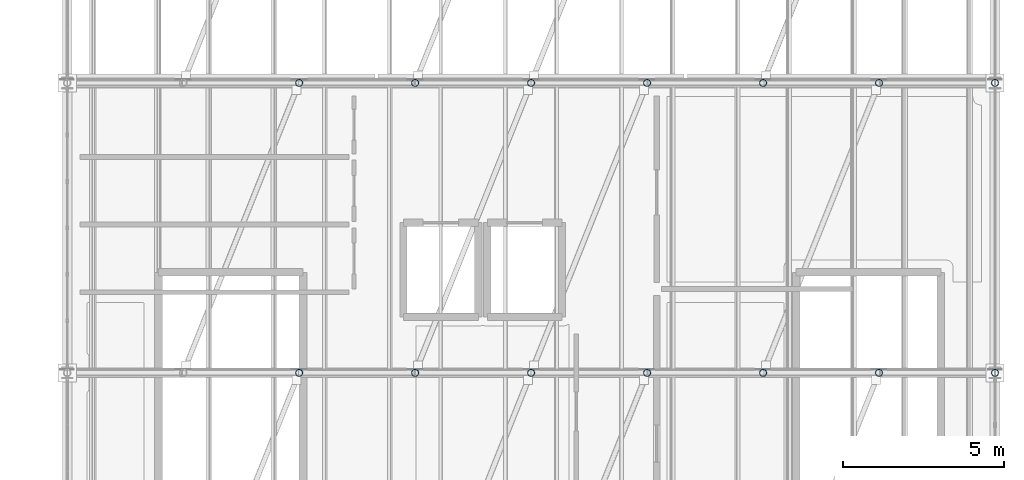
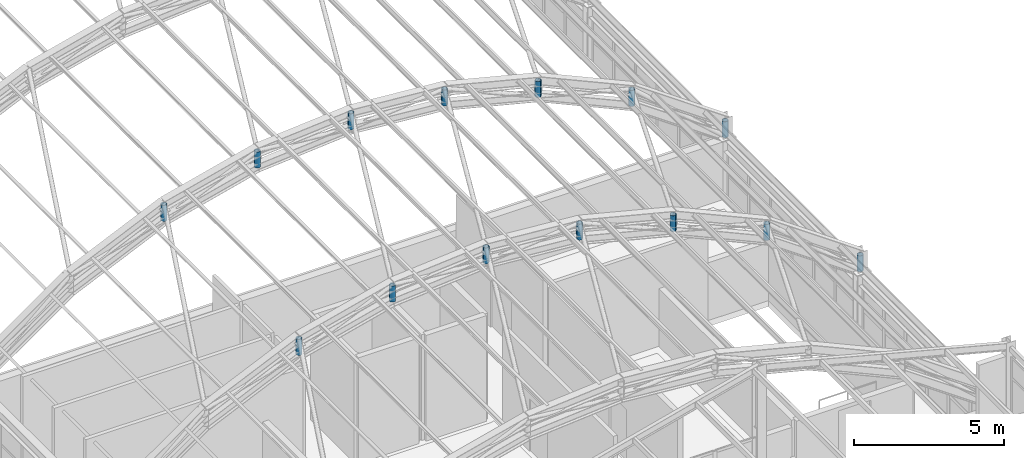
# One storey, part 88 of 121: 14 members.
"""IFC4 building model written with IfcOpenShell, lengths in metres."""

from ifc_helpers import new_model, si_unit, direction, frame, origin, origin_2d, place, context, subcontext, project, spatial, hollow_circle, extrude, material, material_profile, profile_set, type_object, element, save


model = new_model("IFC4")

# Units and contexts
model_context = context("Model", 3, precision=1e-05, world=origin(), true_north=direction((0.0, 1.0)))
body_context = subcontext(model_context, "Body", "Model", "MODEL_VIEW")
ifc_project = project(units=[si_unit("LENGTHUNIT", "METRE"), si_unit("AREAUNIT", "SQUARE_METRE"), si_unit("VOLUMEUNIT", "CUBIC_METRE"), si_unit("PLANEANGLEUNIT", "RADIAN"), si_unit("MASSUNIT", "GRAM", prefix="KILO")], contexts=[model_context])

# Site, building, storey
site_placement = place(None, origin())
site = spatial("IfcSite", under=ifc_project, at=site_placement, CompositionType="ELEMENT")
building_placement = place(site_placement, origin())
building = spatial("IfcBuilding", under=site, at=building_placement, Name="Canglan Escarpment Cableway Terminal", CompositionType="ELEMENT")
storey_placement = place(building_placement, frame((0.0, 0.0, 24.60009765625)))
storey = spatial("IfcBuildingStorey", under=building, at=storey_placement, Name="L05", CompositionType="ELEMENT", Elevation=24.60009765625)

# Members
ifc_material = material(Name="Steel Q355B", Category="steel")
ifc_material_profile = material_profile(ifc_material, hollow_circle(Radius=0.109619140625, WallThickness=0.008056640625, at=origin_2d()), Name="CHS 219.1x8")
ifc_profile_set = profile_set([ifc_material_profile], Name="Steel Q355B")
member_type = type_object("IfcMemberType", Name="MB-ARCH-WEB-CHS219", PredefinedType="BRACE", material=ifc_profile_set)
for number, where, z_axis, x_axis, name in (
    (1, (144.800048828125, 43.0, 6.58837890625), (0.0, 0.0, 1.0), (1.0, 0.0, 0.0), "Vault ROOF TRUSS vertical strut AR-WB1"),
    (2, (148.39990234375, 43.0, 7.50341796875), (0.0, 0.0, 1.0), (1.0, 0.0, 0.0), "Vault ROOF TRUSS vertical strut AR-WB1"),
):
    element("IfcMember", number, at=place(storey_placement, frame(where, z_axis=z_axis, x_axis=x_axis)), inside=storey, type_object=member_type, Name=name, PredefinedType="BRACE", context=body_context, shape_type="SweptSolid", body=[
        extrude(hollow_circle(Radius=0.109619140625, WallThickness=0.008056640625, at=origin_2d()), origin(), (0.0, 0.0, 1.0), 0.64990234375),
    ])
member_1_placement = place(storey_placement, frame((152.0, 43.0, 7.7998046875), z_axis=(0.0, 0.0, 1.0), x_axis=(1.0, 0.0, 0.0)))
element("IfcMember", 3, at=member_1_placement, inside=storey, type_object=member_type, Name="Vault ROOF TRUSS vertical strut AR-WB1", PredefinedType="BRACE", context=body_context, shape_type="SweptSolid", body=[
    extrude(hollow_circle(Radius=0.109619140625, WallThickness=0.008056640625, at=origin_2d()), origin(), (0.0, 0.0, 1.0), 0.650146484375),
])
for number, where, z_axis, x_axis, name in (
    (4, (155.60009765625, 43.0, 7.50341796875), (0.0, 0.0, 1.0), (1.0, 0.0, 0.0), "Vault ROOF TRUSS vertical strut AR-WB1"),
    (5, (159.199951171875, 43.0, 6.58837890625), (0.0, 0.0, 1.0), (1.0, 0.0, 0.0), "Vault ROOF TRUSS vertical strut AR-WB1"),
    (6, (162.800048828125, 43.0, 4.966552734375), (0.0, 0.0, 1.0), (1.0, 0.0, 0.0), "Vault ROOF TRUSS vertical strut AR-WB1"),
):
    element("IfcMember", number, at=place(storey_placement, frame(where, z_axis=z_axis, x_axis=x_axis)), inside=storey, type_object=member_type, Name=name, PredefinedType="BRACE", context=body_context, shape_type="SweptSolid", body=[
        extrude(hollow_circle(Radius=0.109619140625, WallThickness=0.008056640625, at=origin_2d()), origin(), (0.0, 0.0, 1.0), 0.64990234375),
    ])
member_2_placement = place(storey_placement, frame((166.39990234375, 43.0, 2.432373046875), z_axis=(0.0, 0.0, 1.0), x_axis=(1.0, 0.0, 0.0)))
element("IfcMember", 7, at=member_2_placement, inside=storey, type_object=member_type, Name="Vault ROOF TRUSS springing strut AR-WB1", PredefinedType="BRACE", context=body_context, shape_type="SweptSolid", body=[
    extrude(hollow_circle(Radius=0.109619140625, WallThickness=0.008056640625, at=origin_2d()), origin(), (0.0, 0.0, 1.0), 0.650146484375),
])
for number, where, z_axis, x_axis, name in (
    (8, (144.800048828125, 52.0, 6.58837890625), (0.0, 0.0, 1.0), (1.0, 0.0, 0.0), "Vault ROOF TRUSS vertical strut AR-WB1"),
    (9, (148.39990234375, 52.0, 7.50341796875), (0.0, 0.0, 1.0), (1.0, 0.0, 0.0), "Vault ROOF TRUSS vertical strut AR-WB1"),
):
    element("IfcMember", number, at=place(storey_placement, frame(where, z_axis=z_axis, x_axis=x_axis)), inside=storey, type_object=member_type, Name=name, PredefinedType="BRACE", context=body_context, shape_type="SweptSolid", body=[
        extrude(hollow_circle(Radius=0.109619140625, WallThickness=0.008056640625, at=origin_2d()), origin(), (0.0, 0.0, 1.0), 0.64990234375),
    ])
member_3_placement = place(storey_placement, frame((152.0, 52.0, 7.7998046875), z_axis=(0.0, 0.0, 1.0), x_axis=(1.0, 0.0, 0.0)))
element("IfcMember", 10, at=member_3_placement, inside=storey, type_object=member_type, Name="Vault ROOF TRUSS vertical strut AR-WB1", PredefinedType="BRACE", context=body_context, shape_type="SweptSolid", body=[
    extrude(hollow_circle(Radius=0.109619140625, WallThickness=0.008056640625, at=origin_2d()), origin(), (0.0, 0.0, 1.0), 0.650146484375),
])
for number, where, z_axis, x_axis, name in (
    (11, (155.60009765625, 52.0, 7.50341796875), (0.0, 0.0, 1.0), (1.0, 0.0, 0.0), "Vault ROOF TRUSS vertical strut AR-WB1"),
    (12, (159.199951171875, 52.0, 6.58837890625), (0.0, 0.0, 1.0), (1.0, 0.0, 0.0), "Vault ROOF TRUSS vertical strut AR-WB1"),
    (13, (162.800048828125, 52.0, 4.966552734375), (0.0, 0.0, 1.0), (1.0, 0.0, 0.0), "Vault ROOF TRUSS vertical strut AR-WB1"),
):
    element("IfcMember", number, at=place(storey_placement, frame(where, z_axis=z_axis, x_axis=x_axis)), inside=storey, type_object=member_type, Name=name, PredefinedType="BRACE", context=body_context, shape_type="SweptSolid", body=[
        extrude(hollow_circle(Radius=0.109619140625, WallThickness=0.008056640625, at=origin_2d()), origin(), (0.0, 0.0, 1.0), 0.64990234375),
    ])
member_4_placement = place(storey_placement, frame((166.39990234375, 52.0, 2.432373046875), z_axis=(0.0, 0.0, 1.0), x_axis=(1.0, 0.0, 0.0)))
element("IfcMember", 14, at=member_4_placement, inside=storey, type_object=member_type, Name="Vault ROOF TRUSS springing strut AR-WB1", PredefinedType="BRACE", context=body_context, shape_type="SweptSolid", body=[
    extrude(hollow_circle(Radius=0.109619140625, WallThickness=0.008056640625, at=origin_2d()), origin(), (0.0, 0.0, 1.0), 0.650146484375),
])

save(model, "model.ifc")
